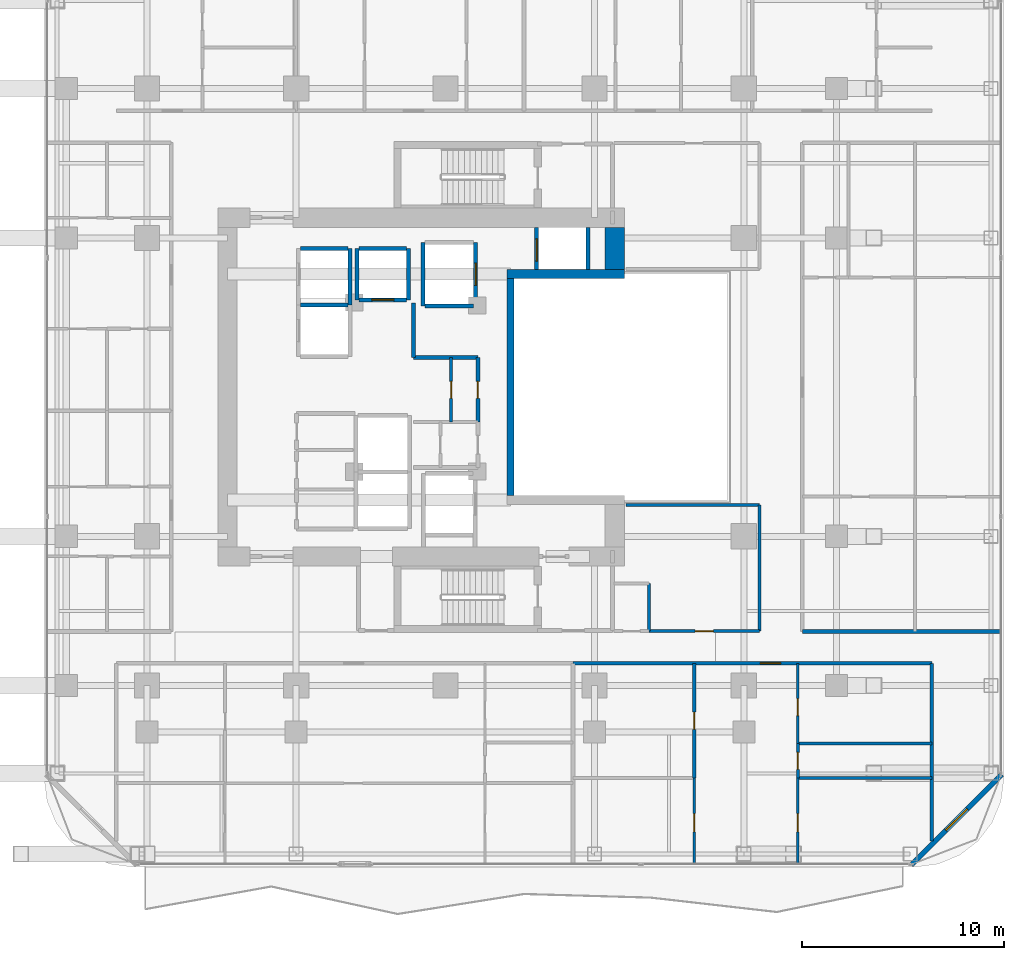
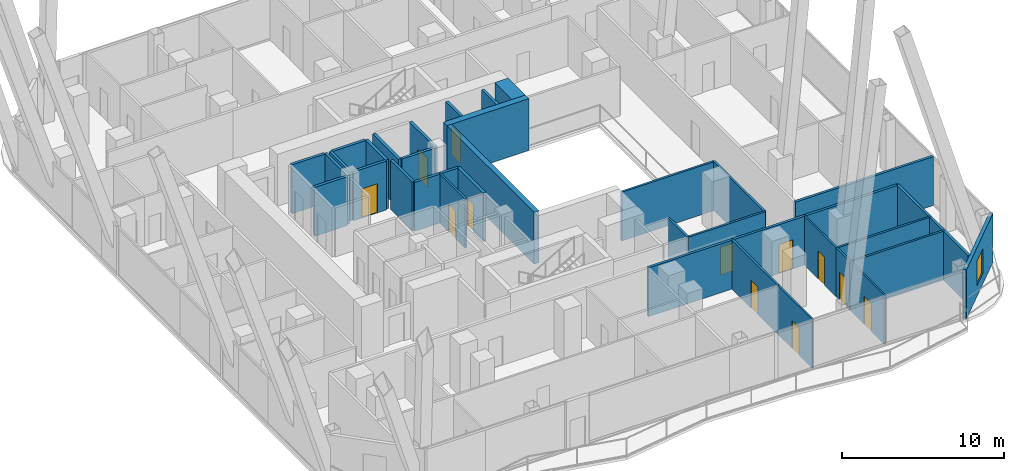
# One storey, part 26 of 32: 34 walls, 12 doors, 1 window, 13 openings.
"""IFC4 building model written with IfcOpenShell, lengths in metres."""

import ifcopenshell
import ifcopenshell.guid

model = None  # the IFC model being written
_history = None  # IfcOwnerHistory: only IFC2X3 demands one
_inside = {}  # id of a spatial element -> (the spatial element, [elements in it])
_under = {}  # id of a project, library or spatial element -> (it, [spatial elements below it])
_declared = {}  # id of a project -> (the project, [libraries it declares])
_typed = {}  # id of a type object -> (the type object, [elements of that type])
_made_of = {}  # id of a material, layer set ... -> (it, [elements and type objects made of it])


def new_model(schema):
    """Start an empty IFC model of exactly this schema.

    Asked for "IFC4X3", IfcOpenShell would pick the latest addendum, in which some entities
    have other attributes; the version numbers below select the first issue.
    IFC2X3 requires an IfcOwnerHistory on every rooted entity: one is made here for all.
    """
    global model, _history
    if schema == "IFC4X3":
        model = ifcopenshell.file(schema_version=(4, 3, 0, 0))
    else:
        model = ifcopenshell.file(schema=schema)
    _inside.clear()
    _under.clear()
    _declared.clear()
    _typed.clear()
    _made_of.clear()
    _history = None
    if model.schema == "IFC2X3":
        org = make("IfcOrganization", Name="unknown")
        user = make(
            "IfcPersonAndOrganization",
            ThePerson=make("IfcPerson", FamilyName="unknown"),
            TheOrganization=org,
        )
        app = make(
            "IfcApplication",
            ApplicationDeveloper=org,
            Version="unknown",
            ApplicationFullName="unknown",
            ApplicationIdentifier="unknown",
        )
        _history = make(
            "IfcOwnerHistory",
            OwningUser=user,
            OwningApplication=app,
            ChangeAction="ADDED",
            CreationDate=0,
        )
    return model


def make(cls, **values):
    """One entity of the class cls with the attributes given. An attribute that is None is left unset."""
    return model.create_entity(
        cls, **{name: value for name, value in values.items() if value is not None}
    )


def rooted(cls, **values):
    """An entity with a GlobalId (a new one), such as an element, a storey or a relation."""
    return make(cls, GlobalId=ifcopenshell.guid.new(), OwnerHistory=_history, **values)


def si_unit(unit_type, name, prefix=None):
    """IfcSIUnit, for example si_unit("LENGTHUNIT", "METRE", prefix="MILLI")."""
    return make("IfcSIUnit", UnitType=unit_type, Prefix=prefix, Name=name)


def assignment(units):
    """IfcUnitAssignment: the units of a project."""
    return None if units is None else make("IfcUnitAssignment", Units=units)


def point(xyz):
    """IfcCartesianPoint."""
    return None if xyz is None else make("IfcCartesianPoint", Coordinates=xyz)


def direction(xyz):
    """IfcDirection."""
    return None if xyz is None else make("IfcDirection", DirectionRatios=xyz)


def frame(location, z_axis=None, x_axis=None):
    """IfcAxis2Placement3D, a coordinate frame: its origin and axes. An axis left out is left unset."""
    return make(
        "IfcAxis2Placement3D",
        Location=point(location),
        Axis=direction(z_axis),
        RefDirection=direction(x_axis),
    )


def frame_2d(location, x_axis=None):
    """IfcAxis2Placement2D, a coordinate frame in the plane: its origin and x axis."""
    return make(
        "IfcAxis2Placement2D", Location=point(location), RefDirection=direction(x_axis)
    )


def origin():
    """The frame at (0, 0, 0) with its axes left unset."""
    return frame((0.0, 0.0, 0.0))


def place(relative_to, where):
    """IfcLocalPlacement: puts the frame where relative to a parent placement (None: the world)."""
    return make(
        "IfcLocalPlacement", PlacementRelTo=relative_to, RelativePlacement=where
    )


def context(
    kind, dimensions, precision=None, world=None, true_north=None, identifier=None
):
    """IfcGeometricRepresentationContext, for example the 3D "Model" context."""
    return make(
        "IfcGeometricRepresentationContext",
        ContextIdentifier=identifier,
        ContextType=kind,
        CoordinateSpaceDimension=dimensions,
        Precision=precision,
        WorldCoordinateSystem=world,
        TrueNorth=true_north,
    )


def subcontext(parent, identifier, kind, view, scale=None):
    """IfcGeometricRepresentationSubContext, for example "Body" below "Model"."""
    return make(
        "IfcGeometricRepresentationSubContext",
        ContextIdentifier=identifier,
        ContextType=kind,
        ParentContext=parent,
        TargetScale=scale,
        TargetView=view,
    )


def project(units=None, contexts=None):
    """IfcProject with its units and contexts."""
    return rooted(
        "IfcProject",
        Name="project",
        RepresentationContexts=contexts,
        UnitsInContext=assignment(units),
    )


def spatial(cls, under=None, at=None, **own):
    """A site, building, storey or space (cls), placed at a placement, below another one or the project."""
    s = rooted(cls, ObjectPlacement=at, **own)
    if under is not None:
        _under.setdefault(under.id(), (under, []))[1].append(s)
    return s


def profile(cls, at=None, kind="AREA", **sizes):
    """A parametric profile (cls). Its sizes go by their IFC names, for example OverallWidth=200.0."""
    return make(cls, ProfileType=kind, Position=at, **sizes)


def rectangle(**sizes):
    """IfcRectangleProfileDef."""
    return profile("IfcRectangleProfileDef", **sizes)


def extrude(swept, where, along, depth):
    """IfcExtrudedAreaSolid: the profile swept, set in the frame where, extruded along a direction by depth."""
    return make(
        "IfcExtrudedAreaSolid",
        SweptArea=swept,
        Position=where,
        ExtrudedDirection=direction(along),
        Depth=depth,
    )


def shape(context_of_items, identifier, shape_type, items):
    """IfcShapeRepresentation: the items that make up one representation, for example the "Body"."""
    return make(
        "IfcShapeRepresentation",
        ContextOfItems=context_of_items,
        RepresentationIdentifier=identifier,
        RepresentationType=shape_type,
        Items=items,
    )


def material(Name=None, Category=None):
    """IfcMaterial."""
    return make("IfcMaterial", Name=Name, Category=Category)


def layer(
    of_material, thickness, ventilated=None, Name=None, Category=None, Priority=None
):
    """IfcMaterialLayer: one layer of a wall or slab, of a material (None: an air gap)."""
    return make(
        "IfcMaterialLayer",
        Material=of_material,
        LayerThickness=thickness,
        IsVentilated=ventilated,
        Name=Name,
        Category=Category,
        Priority=Priority,
    )


def layer_set(layers, Name=None):
    """IfcMaterialLayerSet."""
    return make("IfcMaterialLayerSet", MaterialLayers=layers, LayerSetName=Name)


def made_of(thing, what):
    """Note that an element or type object is made of a material, layer set ...; save() writes the relation."""
    if what is not None:
        _made_of.setdefault(what.id(), (what, []))[1].append(thing)
    return thing


def type_object(cls, material=None, **own):
    """A type object (cls), such as IfcWallType, which elements share."""
    return made_of(rooted(cls, **own), material)


def element(
    cls,
    number,
    at=None,
    inside=None,
    cuts=None,
    type_object=None,
    material=None,
    context=None,
    identifier="Body",
    shape_type=None,
    held_by="IfcProductDefinitionShape",
    body=None,
    shapes=None,
    **own,
):
    """One element of the class cls, such as IfcWall. Its Tag is "e" and its number.

    at: its placement. inside: the storey or other place that contains it. cuts: it is an
    opening in that element (IfcRelVoidsElement). A single representation is given by context,
    identifier, shape_type and body (its items); several are given by shapes. held_by: the class
    of the entity that holds the representations. save() writes the other relations.
    """
    e = rooted(cls, Tag="e%d" % number, ObjectPlacement=at, **own)
    if body is not None:
        shapes = [shape(context, identifier, shape_type, body)]
    if shapes is not None:
        e.Representation = make(held_by, Representations=shapes)
    if inside is not None:
        _inside.setdefault(inside.id(), (inside, []))[1].append(e)
    if cuts is not None:
        rooted(
            "IfcRelVoidsElement", RelatingBuildingElement=cuts, RelatedOpeningElement=e
        )
    if type_object is not None:
        _typed.setdefault(type_object.id(), (type_object, []))[1].append(e)
    return made_of(e, material)


def fill(opening, filler):
    """IfcRelFillsElement: the door or window that sits in an opening."""
    return rooted(
        "IfcRelFillsElement",
        RelatingOpeningElement=opening,
        RelatedBuildingElement=filler,
    )


def aggregate(whole, parts):
    """IfcRelAggregates: a whole, such as a stair, and the parts it consists of."""
    return rooted("IfcRelAggregates", RelatingObject=whole, RelatedObjects=parts)


def save(model, path):
    """Write the relations noted so far, then the file.

    IfcRelAggregates (storeys below a building ...), IfcRelContainedInSpatialStructure (elements
    in a storey), IfcRelDefinesByType, IfcRelAssociatesMaterial and IfcRelDeclares: one each for
    every whole, place, type object, material and project.
    """
    for whole, parts in _under.values():
        aggregate(whole, parts)
    for where, things in _inside.values():
        rooted(
            "IfcRelContainedInSpatialStructure",
            RelatedElements=things,
            RelatingStructure=where,
        )
    for kind, things in _typed.values():
        rooted("IfcRelDefinesByType", RelatedObjects=things, RelatingType=kind)
    for what, things in _made_of.values():
        rooted("IfcRelAssociatesMaterial", RelatedObjects=things, RelatingMaterial=what)
    for by, libraries in _declared.values():
        rooted("IfcRelDeclares", RelatingContext=by, RelatedDefinitions=libraries)
    model.write(path)


model = new_model("IFC4")

# Units and contexts
model_context = context("Model", 3, precision=1e-05, world=origin(), true_north=direction((0.0, 1.0)))
body_context = subcontext(model_context, "Body", "Model", "MODEL_VIEW")
ifc_project = project(units=[si_unit("LENGTHUNIT", "METRE"), si_unit("AREAUNIT", "SQUARE_METRE"), si_unit("VOLUMEUNIT", "CUBIC_METRE"), si_unit("PLANEANGLEUNIT", "RADIAN"), si_unit("MASSUNIT", "GRAM", prefix="KILO")], contexts=[model_context])

# Site, building, storey
site_placement = place(None, origin())
site = spatial("IfcSite", under=ifc_project, at=site_placement, CompositionType="ELEMENT")
building_placement = place(site_placement, origin())
building = spatial("IfcBuilding", under=site, at=building_placement, Name="Khorvyn Point Tower", CompositionType="ELEMENT")
storey_placement = place(building_placement, frame((0.0, 0.0, 148.5)))
storey = spatial("IfcBuildingStorey", under=building, at=storey_placement, Name="L37", CompositionType="ELEMENT", Elevation=148.5)

# Wall, opening, door
ifc_material_1 = material(Name="Double acoustic gypsum on twin steel stud", Category="steel")
ifc_layer_1 = layer(ifc_material_1, 0.179931640625)
ifc_layer_set_1 = layer_set([ifc_layer_1], Name="Acoustic Double-Stud Apartment Demising Wall 180")
wall_type_1 = type_object("IfcWallType", Name="Acoustic Double-Stud Apartment Demising Wall 180", PredefinedType="PARTITIONING", material=ifc_layer_set_1)
wall_1_placement = place(storey_placement, frame((6.325927734375, -13.699951171875, 0.0), z_axis=(0.0, 0.0, 1.0), x_axis=(1.0, 0.0, 0.0)))
wall_1 = element("IfcWall", 1, at=wall_1_placement, inside=storey, type_object=wall_type_1, Name="Wall", PredefinedType="PARTITIONING", context=body_context, shape_type="SweptSolid", body=[
    extrude(rectangle(XDim=17.794189453125, YDim=0.179931640625, at=frame_2d((8.89697265625, 0.0))), origin(), (0.0, 0.0, 1.0), 3.679931640625),
])
opening_1_placement = place(wall_1_placement, frame((9.292236328125, 0.0, 0.0)))
opening_1 = element("IfcOpeningElement", 2, at=opening_1_placement, cuts=wall_1, Name="Opening ID-AP60", PredefinedType="OPENING", context=body_context, shape_type="SweptSolid", body=[
    extrude(rectangle(XDim=1.0, YDim=2.199951171875, at=frame_2d((0.5, 1.10009765625))), frame((0.0, 0.099853515625, 0.0), z_axis=(0.0, -1.0, 0.0), x_axis=(1.0, 0.0, 0.0)), (0.0, 0.0, 1.0), 0.199951171875),
])
ifc_material_2 = material(Name="Engineered hardwood fire-rated leaf", Category="wood")
door_type_1 = type_object("IfcDoorType", Name="Acoustic Solid-Core Timber Apartment Entrance Door 1000x2200", OperationType="NOTDEFINED", PredefinedType="DOOR", material=ifc_material_2)
door_1_placement = place(opening_1_placement, origin())
door_1 = element("IfcDoor", 3, at=door_1_placement, inside=storey, type_object=door_type_1, Name="Door", OperationType="SINGLE_SWING_RIGHT", OverallHeight=2.199951171875, OverallWidth=1.0, PredefinedType="DOOR", context=body_context, shape_type="SweptSolid", body=[
    extrude(rectangle(XDim=1.0, YDim=2.199951171875, at=frame_2d((0.5, 1.10009765625))), frame((0.0, 0.02490234375, 0.0), z_axis=(0.0, -1.0, 0.0), x_axis=(1.0, 0.0, 0.0)), (0.0, 0.0, 1.0), 0.050048828125),
])
fill(opening_1, door_1)

# Walls
wall_2_placement = place(storey_placement, frame((24.1201171875, -22.510009765625, 0.0), z_axis=(0.0, 0.0, 1.0), x_axis=(0.0, 1.0, 0.0)))
element("IfcWall", 4, at=wall_2_placement, inside=storey, type_object=wall_type_1, Name="Wall", PredefinedType="PARTITIONING", context=body_context, shape_type="SweptSolid", body=[
    extrude(rectangle(XDim=8.81005859375, YDim=0.179931640625, at=frame_2d((4.405029296875, 0.0))), origin(), (0.0, 0.0, 1.0), 3.679931640625),
])
wall_3_placement = place(storey_placement, frame((17.699951171875, -12.1201171875, 0.0), z_axis=(0.0, 0.0, 1.0), x_axis=(1.0, 0.0, 0.0)))
element("IfcWall", 5, at=wall_3_placement, inside=storey, type_object=wall_type_1, Name="Wall", PredefinedType="PARTITIONING", context=body_context, shape_type="SweptSolid", body=[
    extrude(rectangle(XDim=9.830078125, YDim=0.179931640625, at=frame_2d((4.9150390625, 0.0))), origin(), (0.0, 0.0, 1.0), 3.679931640625),
])

# Wall, opening, window
ifc_material_3 = material(Name="Pale anodised aluminium rainscreen on steel stud", Category="steel")
ifc_layer_2 = layer(ifc_material_3, 0.239990234375)
ifc_layer_set_2 = layer_set([ifc_layer_2], Name="Anodised Aluminium Insulated Corner Spandrel Wall 240")
wall_type_2 = type_object("IfcWallType", Name="Anodised Aluminium Insulated Corner Spandrel Wall 240", PredefinedType="SOLIDWALL", material=ifc_layer_set_2)
wall_4_placement = place(storey_placement, frame((27.59228515625, -19.20751953125, 0.0), z_axis=(0.0, 0.0, 1.0), x_axis=(-0.707087534163, -0.707126027686, 0.0)))
wall_4 = element("IfcWall", 6, at=wall_4_placement, inside=storey, type_object=wall_type_2, Name="L37 Rounded Corner Wall SE", PredefinedType="SOLIDWALL", context=body_context, shape_type="SweptSolid", body=[
    extrude(rectangle(XDim=6.34228515625, YDim=0.239990234375, at=frame_2d((3.171142578125, 0.0))), origin(), (0.0, 0.0, 1.0), 3.679931640625),
])
opening_2_placement = place(wall_4_placement, frame((2.42138671875, 0.0, 0.800048828125)))
opening_2 = element("IfcOpeningElement", 7, at=opening_2_placement, cuts=wall_4, Name="Opening WN-1518", PredefinedType="OPENING", context=body_context, shape_type="SweptSolid", body=[
    extrude(rectangle(XDim=1.5, YDim=1.85009765625, at=frame_2d((0.75, 0.925048828125))), frame((0.0, 0.1298828125, 0.0), z_axis=(0.0, -1.0, 0.0), x_axis=(1.0, 0.0, 0.0)), (0.0, 0.0, 1.0), 0.260009765625),
])
ifc_material_4 = material(Name="Anodised aluminium 6063-T6 and laminated Low-E glass", Category="aluminium")
window_type = type_object("IfcWindowType", Name="Anodised Aluminium Rounded-Corner Panoramic Window 1500x1850", PartitioningType="SINGLE_PANEL", PredefinedType="WINDOW", material=ifc_material_4)
window_placement = place(opening_2_placement, origin())
window = element("IfcWindow", 8, at=window_placement, inside=storey, type_object=window_type, Name="L37 Corner Panoramic Window SE", OverallHeight=1.85009765625, OverallWidth=1.5, PartitioningType="SINGLE_PANEL", PredefinedType="WINDOW", context=body_context, shape_type="SweptSolid", body=[
    extrude(rectangle(XDim=1.5, YDim=1.85009765625, at=frame_2d((0.75, 0.925048828125))), frame((0.0, 0.030029296875, 0.0), z_axis=(0.0, -1.0, 0.0), x_axis=(1.0, 0.0, 0.0)), (0.0, 0.0, 1.0), 0.06005859375),
])
fill(opening_2, window)

# Wall
ifc_material_5 = material(Name="Concrete C40/50", Category="concrete")
ifc_layer_3 = layer(ifc_material_5, 0.449951171875)
ifc_layer_set_3 = layer_set([ifc_layer_3], Name="Concrete C40/50 Core Shear Wall 450")
wall_type_3 = type_object("IfcWallType", Name="Concrete C40/50 Core Shear Wall 450", PredefinedType="SHEAR", material=ifc_layer_set_3)
wall_5_placement = place(storey_placement, frame((3.044921875, 5.60009765625, 0.0), z_axis=(0.0, 0.0, 1.0), x_axis=(1.0, 0.0, 0.0)))
element("IfcWall", 9, at=wall_5_placement, inside=storey, type_object=wall_type_3, Name="Wall", PredefinedType="SHEAR", context=body_context, shape_type="SweptSolid", body=[
    extrude(rectangle(XDim=5.830078125, YDim=0.449951171875, at=frame_2d((2.9150390625, 0.0))), origin(), (0.0, 0.0, 1.0), 3.89990234375),
])

# Wall, opening, door
ifc_layer_4 = layer(ifc_material_5, 0.199951171875)
ifc_layer_set_4 = layer_set([ifc_layer_4], Name="Concrete C40/50 Fire-Lobby Compartment Wall 200")
wall_type_4 = type_object("IfcWallType", Name="Concrete C40/50 Fire-Lobby Compartment Wall 200", PredefinedType="SOLIDWALL", material=ifc_layer_set_4)
wall_6_placement = place(storey_placement, frame((1.610107421875, -1.739013671875, 0.0), z_axis=(0.0, 0.0, 1.0), x_axis=(0.0, 1.0, 0.0)))
wall_6 = element("IfcWall", 10, at=wall_6_placement, inside=storey, type_object=wall_type_4, Name="Wall", PredefinedType="SOLIDWALL", context=body_context, shape_type="SweptSolid", body=[
    extrude(rectangle(XDim=3.198974609375, YDim=0.199951171875, at=frame_2d((1.599609375, 0.0))), origin(), (0.0, 0.0, 1.0), 3.679931640625),
])
opening_3_placement = place(wall_6_placement, frame((1.174560546875, 0.0, 0.0)))
opening_3 = element("IfcOpeningElement", 11, at=opening_3_placement, cuts=wall_6, Name="Opening ID-WC85", PredefinedType="OPENING", context=body_context, shape_type="SweptSolid", body=[
    extrude(rectangle(XDim=0.85009765625, YDim=2.10009765625, at=frame_2d((0.425048828125, 1.050048828125))), frame((0.0, 0.10986328125, 0.0), z_axis=(0.0, -1.0, 0.0), x_axis=(1.0, 0.0, 0.0)), (0.0, 0.0, 1.0), 0.219970703125),
])
ifc_material_6 = material(Name="High-pressure laminate on moisture-resistant core", Category="wood")
door_type_2 = type_object("IfcDoorType", Name="Moisture-Resistant Accessible Washroom Door 850x2100", OperationType="NOTDEFINED", PredefinedType="DOOR", material=ifc_material_6)
door_2_placement = place(opening_3_placement, origin())
door_2 = element("IfcDoor", 12, at=door_2_placement, inside=storey, type_object=door_type_2, Name="Door", OperationType="SINGLE_SWING_RIGHT", OverallHeight=2.10009765625, OverallWidth=0.85009765625, PredefinedType="DOOR", context=body_context, shape_type="SweptSolid", body=[
    extrude(rectangle(XDim=0.85009765625, YDim=2.10009765625, at=frame_2d((0.425048828125, 1.050048828125))), frame((0.0, 0.02490234375, 0.0), z_axis=(0.0, -1.0, 0.0), x_axis=(1.0, 0.0, 0.0)), (0.0, 0.0, 1.0), 0.050048828125),
])
fill(opening_3, door_2)

# Walls
wall_7_placement = place(storey_placement, frame((-1.580078125, 1.47998046875, 0.0), z_axis=(0.0, 0.0, 1.0), x_axis=(0.0, 1.0, 0.0)))
element("IfcWall", 13, at=wall_7_placement, inside=storey, type_object=wall_type_4, Name="Wall", PredefinedType="SOLIDWALL", context=body_context, shape_type="SweptSolid", body=[
    extrude(rectangle(XDim=2.699951171875, YDim=0.199951171875, at=frame_2d((1.35009765625, 0.0))), origin(), (0.0, 0.0, 1.0), 3.679931640625),
])
wall_8_placement = place(storey_placement, frame((-1.580078125, 1.4599609375, 0.0), z_axis=(0.0, 0.0, 1.0), x_axis=(1.0, 0.0, 0.0)))
element("IfcWall", 14, at=wall_8_placement, inside=storey, type_object=wall_type_4, Name="Wall", PredefinedType="SOLIDWALL", context=body_context, shape_type="SweptSolid", body=[
    extrude(rectangle(XDim=3.190185546875, YDim=0.199951171875, at=frame_2d((1.59521484375, 0.0))), origin(), (0.0, 0.0, 1.0), 3.679931640625),
])
ifc_layer_5 = layer(ifc_material_5, 0.35009765625)
ifc_layer_set_5 = layer_set([ifc_layer_5], Name="Concrete C40/50 Stair Shaft Structural Wall 350")
wall_type_5 = type_object("IfcWallType", Name="Concrete C40/50 Stair Shaft Structural Wall 350", PredefinedType="SHEAR", material=ifc_layer_set_5)
wall_9_placement = place(storey_placement, frame((3.219970703125, -5.375, 0.0), z_axis=(0.0, 0.0, 1.0), x_axis=(0.0, 1.0, 0.0)))
element("IfcWall", 15, at=wall_9_placement, inside=storey, type_object=wall_type_5, Name="Wall", PredefinedType="SHEAR", context=body_context, shape_type="SweptSolid", body=[
    extrude(rectangle(XDim=10.75, YDim=0.35009765625, at=frame_2d((5.375, 0.0))), origin(), (0.0, 0.0, 1.0), 3.89990234375),
])
ifc_layer_6 = layer(ifc_material_5, 0.199951171875)
ifc_layer_set_6 = layer_set([ifc_layer_6], Name="Concrete C40/50 Structural Hoistway and Stair Shaft Wall 200")
wall_type_6 = type_object("IfcWallType", Name="Concrete C40/50 Structural Hoistway and Stair Shaft Wall 200", PredefinedType="SHEAR", material=ifc_layer_set_6)
wall_10_placement = place(storey_placement, frame((-7.175048828125, 4.074951171875, 0.0), z_axis=(0.0, 0.0, 1.0), x_axis=(1.0, 0.0, 0.0)))
element("IfcWall", 16, at=wall_10_placement, inside=storey, type_object=wall_type_6, Name="Wall", PredefinedType="SHEAR", context=body_context, shape_type="SweptSolid", body=[
    extrude(rectangle(XDim=2.35009765625, YDim=0.199951171875, at=frame_2d((1.175048828125, 0.0))), origin(), (0.0, 0.0, 1.0), 3.679931640625),
])
wall_11_placement = place(storey_placement, frame((-4.72509765625, 4.074951171875, 0.0), z_axis=(0.0, 0.0, 1.0), x_axis=(0.0, 1.0, 0.0)))
element("IfcWall", 17, at=wall_11_placement, inside=storey, type_object=wall_type_6, Name="Wall", PredefinedType="SHEAR", context=body_context, shape_type="SweptSolid", body=[
    extrude(rectangle(XDim=2.800048828125, YDim=0.199951171875, at=frame_2d((1.39990234375, 0.0))), origin(), (0.0, 0.0, 1.0), 3.679931640625),
])
wall_12_placement = place(storey_placement, frame((-7.175048828125, 6.875, 0.0), z_axis=(0.0, 0.0, 1.0), x_axis=(1.0, 0.0, 0.0)))
element("IfcWall", 18, at=wall_12_placement, inside=storey, type_object=wall_type_6, Name="Wall", PredefinedType="SHEAR", context=body_context, shape_type="SweptSolid", body=[
    extrude(rectangle(XDim=2.35009765625, YDim=0.199951171875, at=frame_2d((1.175048828125, 0.0))), origin(), (0.0, 0.0, 1.0), 3.679931640625),
])
for number, where, z_axis, x_axis, name in (
    (19, (-4.375, 4.324951171875, 0.0), (0.0, 0.0, 1.0), (0.0, 1.0, 0.0), "Wall"),
    (20, (-1.824951171875, 4.324951171875, 0.0), (0.0, 0.0, 1.0), (0.0, 1.0, 0.0), "Wall"),
):
    element("IfcWall", number, at=place(storey_placement, frame(where, z_axis=z_axis, x_axis=x_axis)), inside=storey, type_object=wall_type_6, Name=name, PredefinedType="SHEAR", context=body_context, shape_type="SweptSolid", body=[
        extrude(rectangle(XDim=2.550048828125, YDim=0.199951171875, at=frame_2d((1.27490234375, 0.0))), origin(), (0.0, 0.0, 1.0), 3.679931640625),
    ])

# Wall, opening, door
wall_13_placement = place(storey_placement, frame((-4.27490234375, 4.324951171875, 0.0), z_axis=(0.0, 0.0, 1.0), x_axis=(1.0, 0.0, 0.0)))
wall_13 = element("IfcWall", 21, at=wall_13_placement, inside=storey, type_object=wall_type_6, Name="Wall", PredefinedType="SHEAR", context=body_context, shape_type="SweptSolid", body=[
    extrude(rectangle(XDim=2.349853515625, YDim=0.199951171875, at=frame_2d((1.1748046875, 0.0))), origin(), (0.0, 0.0, 1.0), 3.679931640625),
])
opening_4_placement = place(wall_13_placement, frame((0.625, 0.0, 0.0)))
opening_4 = element("IfcOpeningElement", 22, at=opening_4_placement, cuts=wall_13, Name="Opening LD-1122", PredefinedType="OPENING", context=body_context, shape_type="SweptSolid", body=[
    extrude(rectangle(XDim=1.10009765625, YDim=2.199951171875, at=frame_2d((0.550048828125, 1.10009765625))), frame((0.0, 0.10986328125, 0.0), z_axis=(0.0, -1.0, 0.0), x_axis=(1.0, 0.0, 0.0)), (0.0, 0.0, 1.0), 0.219970703125),
])
ifc_material_7 = material(Name="Stainless steel 1.4301", Category="steel")
door_type_3 = type_object("IfcDoorType", Name="Stainless Steel Automatic Sliding Lift Landing Door 1100x2200", OperationType="SLIDING_TO_LEFT", PredefinedType="DOOR", material=ifc_material_7)
door_3_placement = place(opening_4_placement, origin())
door_3 = element("IfcDoor", 23, at=door_3_placement, inside=storey, type_object=door_type_3, Name="L37 RM-03 Sliding Lift Landing Door", OperationType="SLIDING_TO_LEFT", OverallHeight=2.199951171875, OverallWidth=1.10009765625, PredefinedType="DOOR", context=body_context, shape_type="SweptSolid", body=[
    extrude(rectangle(XDim=1.10009765625, YDim=2.199951171875, at=frame_2d((0.550048828125, 1.10009765625))), frame((0.0, 0.02490234375, 0.0), z_axis=(0.0, -1.0, 0.0), x_axis=(1.0, 0.0, 0.0)), (0.0, 0.0, 1.0), 0.050048828125),
])
fill(opening_4, door_3)

# Walls
wall_14_placement = place(storey_placement, frame((-4.27490234375, 6.875, 0.0), z_axis=(0.0, 0.0, 1.0), x_axis=(1.0, 0.0, 0.0)))
element("IfcWall", 24, at=wall_14_placement, inside=storey, type_object=wall_type_6, Name="Wall", PredefinedType="SHEAR", context=body_context, shape_type="SweptSolid", body=[
    extrude(rectangle(XDim=2.349853515625, YDim=0.199951171875, at=frame_2d((1.1748046875, 0.0))), origin(), (0.0, 0.0, 1.0), 3.679931640625),
])
wall_15_placement = place(storey_placement, frame((-1.10009765625, 4.02490234375, 0.0), z_axis=(0.0, 0.0, 1.0), x_axis=(0.0, 1.0, 0.0)))
element("IfcWall", 25, at=wall_15_placement, inside=storey, type_object=wall_type_6, Name="Wall", PredefinedType="SHEAR", context=body_context, shape_type="SweptSolid", body=[
    extrude(rectangle(XDim=3.150146484375, YDim=0.199951171875, at=frame_2d((1.5751953125, 0.0))), origin(), (0.0, 0.0, 1.0), 3.679931640625),
])

# Wall, opening, door
wall_16_placement = place(storey_placement, frame((1.5, 4.02490234375, 0.0), z_axis=(0.0, 0.0, 1.0), x_axis=(0.0, 1.0, 0.0)))
wall_16 = element("IfcWall", 26, at=wall_16_placement, inside=storey, type_object=wall_type_6, Name="Wall", PredefinedType="SHEAR", context=body_context, shape_type="SweptSolid", body=[
    extrude(rectangle(XDim=3.150146484375, YDim=0.199951171875, at=frame_2d((1.5751953125, 0.0))), origin(), (0.0, 0.0, 1.0), 3.679931640625),
])
opening_5_placement = place(wall_16_placement, frame((1.02490234375, 0.0, 0.0)))
opening_5 = element("IfcOpeningElement", 27, at=opening_5_placement, cuts=wall_16, Name="Opening LD-1122", PredefinedType="OPENING", context=body_context, shape_type="SweptSolid", body=[
    extrude(rectangle(XDim=1.10009765625, YDim=2.199951171875, at=frame_2d((0.550048828125, 1.10009765625))), frame((0.0, 0.10986328125, 0.0), z_axis=(0.0, -1.0, 0.0), x_axis=(1.0, 0.0, 0.0)), (0.0, 0.0, 1.0), 0.219970703125),
])
door_4_placement = place(opening_5_placement, origin())
door_4 = element("IfcDoor", 28, at=door_4_placement, inside=storey, type_object=door_type_3, Name="L37 SV-01 Sliding Lift Landing Door", OperationType="SLIDING_TO_LEFT", OverallHeight=2.199951171875, OverallWidth=1.10009765625, PredefinedType="DOOR", context=body_context, shape_type="SweptSolid", body=[
    extrude(rectangle(XDim=1.10009765625, YDim=2.199951171875, at=frame_2d((0.550048828125, 1.10009765625))), frame((0.0, 0.02490234375, 0.0), z_axis=(0.0, -1.0, 0.0), x_axis=(1.0, 0.0, 0.0)), (0.0, 0.0, 1.0), 0.050048828125),
])
fill(opening_5, door_4)

# Wall
wall_17_placement = place(storey_placement, frame((-1.0, 4.02490234375, 0.0), z_axis=(0.0, 0.0, 1.0), x_axis=(1.0, 0.0, 0.0)))
element("IfcWall", 29, at=wall_17_placement, inside=storey, type_object=wall_type_6, Name="Wall", PredefinedType="SHEAR", context=body_context, shape_type="SweptSolid", body=[
    extrude(rectangle(XDim=2.39990234375, YDim=0.199951171875, at=frame_2d((1.199951171875, 0.0))), origin(), (0.0, 0.0, 1.0), 3.679931640625),
])

# Wall, opening, door
wall_18_placement = place(storey_placement, frame((4.52490234375, 5.824951171875, 0.0), z_axis=(0.0, 0.0, 1.0), x_axis=(0.0, 1.0, 0.0)))
wall_18 = element("IfcWall", 30, at=wall_18_placement, inside=storey, type_object=wall_type_6, Name="Wall", PredefinedType="SHEAR", context=body_context, shape_type="SweptSolid", body=[
    extrude(rectangle(XDim=2.10009765625, YDim=0.199951171875, at=frame_2d((1.050048828125, 0.0))), origin(), (0.0, 0.0, 1.0), 3.679931640625),
])
opening_6_placement = place(wall_18_placement, frame((0.425048828125, 0.0, 0.0)))
opening_6 = element("IfcOpeningElement", 31, at=opening_6_placement, cuts=wall_18, Name="Opening LD-1122", PredefinedType="OPENING", context=body_context, shape_type="SweptSolid", body=[
    extrude(rectangle(XDim=1.10009765625, YDim=2.199951171875, at=frame_2d((0.550048828125, 1.10009765625))), frame((0.0, 0.10986328125, 0.0), z_axis=(0.0, -1.0, 0.0), x_axis=(1.0, 0.0, 0.0)), (0.0, 0.0, 1.0), 0.219970703125),
])
door_5_placement = place(opening_6_placement, origin())
door_5 = element("IfcDoor", 32, at=door_5_placement, inside=storey, type_object=door_type_3, Name="L37 FF-02 Sliding Lift Landing Door", OperationType="SLIDING_TO_LEFT", OverallHeight=2.199951171875, OverallWidth=1.10009765625, PredefinedType="DOOR", context=body_context, shape_type="SweptSolid", body=[
    extrude(rectangle(XDim=1.10009765625, YDim=2.199951171875, at=frame_2d((0.550048828125, 1.10009765625))), frame((0.0, 0.02490234375, 0.0), z_axis=(0.0, -1.0, 0.0), x_axis=(1.0, 0.0, 0.0)), (0.0, 0.0, 1.0), 0.050048828125),
])
fill(opening_6, door_5)

# Walls
wall_19_placement = place(storey_placement, frame((7.074951171875, 5.824951171875, 0.0), z_axis=(0.0, 0.0, 1.0), x_axis=(0.0, 1.0, 0.0)))
element("IfcWall", 33, at=wall_19_placement, inside=storey, type_object=wall_type_6, Name="Wall", PredefinedType="SHEAR", context=body_context, shape_type="SweptSolid", body=[
    extrude(rectangle(XDim=2.10009765625, YDim=0.199951171875, at=frame_2d((1.050048828125, 0.0))), origin(), (0.0, 0.0, 1.0), 3.679931640625),
])
ifc_material_8 = material(Name="Concrete C50/60", Category="concrete")
ifc_layer_7 = layer(ifc_material_8, 0.949951171875)
ifc_layer_set_7 = layer_set([ifc_layer_7], Name="Concrete C50/60 Core Shear Wall 950")
wall_type_7 = type_object("IfcWallType", Name="Concrete C50/60 Core Shear Wall 950", PredefinedType="SHEAR", material=ifc_layer_set_7)
wall_20_placement = place(storey_placement, frame((8.39990234375, 5.824951171875, 0.0), z_axis=(0.0, 0.0, 1.0), x_axis=(0.0, 1.0, 0.0)))
element("IfcWall", 34, at=wall_20_placement, inside=storey, type_object=wall_type_7, Name="Wall", PredefinedType="SHEAR", context=body_context, shape_type="SweptSolid", body=[
    extrude(rectangle(XDim=2.10009765625, YDim=0.949951171875, at=frame_2d((1.050048828125, 0.0))), origin(), (0.0, 0.0, 1.0), 3.89990234375),
])

# Wall, opening, door
ifc_material_9 = material(Name="Gypsum plasterboard on steel stud", Category="steel")
ifc_layer_8 = layer(ifc_material_9, 0.1201171875)
ifc_layer_set_8 = layer_set([ifc_layer_8], Name="Gypsum Acoustic Stud Room Partition Wall 120")
wall_type_8 = type_object("IfcWallType", Name="Gypsum Acoustic Stud Room Partition Wall 120", PredefinedType="PARTITIONING", material=ifc_layer_set_8)
wall_21_placement = place(storey_placement, frame((12.340087890625, -23.6298828125, 0.0), z_axis=(0.0, 0.0, 1.0), x_axis=(0.0, 1.0, 0.0)))
wall_21 = element("IfcWall", 35, at=wall_21_placement, inside=storey, type_object=wall_type_8, Name="Wall", PredefinedType="PARTITIONING", context=body_context, shape_type="SweptSolid", body=[
    extrude(rectangle(XDim=4.239990234375, YDim=0.1201171875, at=frame_2d((2.1201171875, 0.0))), origin(), (0.0, 0.0, 1.0), 3.679931640625),
])
opening_7_placement = place(wall_21_placement, frame((1.581298828125, 0.0, 0.0)))
opening_7 = element("IfcOpeningElement", 36, at=opening_7_placement, cuts=wall_21, Name="Opening ID-RM90", PredefinedType="OPENING", context=body_context, shape_type="SweptSolid", body=[
    extrude(rectangle(XDim=0.89990234375, YDim=2.10009765625, at=frame_2d((0.449951171875, 1.050048828125))), frame((0.0, 0.070068359375, 0.0), z_axis=(0.0, -1.0, 0.0), x_axis=(1.0, 0.0, 0.0)), (0.0, 0.0, 1.0), 0.14013671875),
])
ifc_material_10 = material(Name="Engineered oak veneer timber", Category="wood")
door_type_4 = type_object("IfcDoorType", Name="Flush Engineered Timber Room Door 900x2100", OperationType="NOTDEFINED", PredefinedType="DOOR", material=ifc_material_10)
door_6_placement = place(opening_7_placement, origin())
door_6 = element("IfcDoor", 37, at=door_6_placement, inside=storey, type_object=door_type_4, Name="Door", OperationType="SINGLE_SWING_RIGHT", OverallHeight=2.10009765625, OverallWidth=0.89990234375, PredefinedType="DOOR", context=body_context, shape_type="SweptSolid", body=[
    extrude(rectangle(XDim=0.89990234375, YDim=2.10009765625, at=frame_2d((0.449951171875, 1.050048828125))), frame((0.0, 0.02490234375, 0.0), z_axis=(0.0, -1.0, 0.0), x_axis=(1.0, 0.0, 0.0)), (0.0, 0.0, 1.0), 0.050048828125),
])
fill(opening_7, door_6)

wall_22_placement = place(storey_placement, frame((17.47607421875, -17.68310546875, 0.0), z_axis=(0.0, 0.0, 1.0), x_axis=(0.0, 1.0, 0.0)))
wall_22 = element("IfcWall", 38, at=wall_22_placement, inside=storey, type_object=wall_type_8, Name="Wall", PredefinedType="PARTITIONING", context=body_context, shape_type="SweptSolid", body=[
    extrude(rectangle(XDim=3.983154296875, YDim=0.1201171875, at=frame_2d((1.99169921875, 0.0))), origin(), (0.0, 0.0, 1.0), 3.679931640625),
])
opening_8_placement = place(wall_22_placement, frame((1.390625, 0.0, 0.0)))
opening_8 = element("IfcOpeningElement", 39, at=opening_8_placement, cuts=wall_22, Name="Opening ID-WC85", PredefinedType="OPENING", context=body_context, shape_type="SweptSolid", body=[
    extrude(rectangle(XDim=0.85009765625, YDim=2.10009765625, at=frame_2d((0.425048828125, 1.050048828125))), frame((0.0, 0.070068359375, 0.0), z_axis=(0.0, -1.0, 0.0), x_axis=(1.0, 0.0, 0.0)), (0.0, 0.0, 1.0), 0.14013671875),
])
door_7_placement = place(opening_8_placement, origin())
door_7 = element("IfcDoor", 40, at=door_7_placement, inside=storey, type_object=door_type_2, Name="Door", OperationType="SINGLE_SWING_RIGHT", OverallHeight=2.10009765625, OverallWidth=0.85009765625, PredefinedType="DOOR", context=body_context, shape_type="SweptSolid", body=[
    extrude(rectangle(XDim=0.85009765625, YDim=2.10009765625, at=frame_2d((0.425048828125, 1.050048828125))), frame((0.0, 0.02490234375, 0.0), z_axis=(0.0, -1.0, 0.0), x_axis=(1.0, 0.0, 0.0)), (0.0, 0.0, 1.0), 0.050048828125),
])
fill(opening_8, door_7)

wall_23_placement = place(storey_placement, frame((17.47607421875, -23.6298828125, 0.0), z_axis=(0.0, 0.0, 1.0), x_axis=(0.0, 1.0, 0.0)))
wall_23 = element("IfcWall", 41, at=wall_23_placement, inside=storey, type_object=wall_type_8, Name="Wall", PredefinedType="PARTITIONING", context=body_context, shape_type="SweptSolid", body=[
    extrude(rectangle(XDim=4.239990234375, YDim=0.1201171875, at=frame_2d((2.1201171875, 0.0))), origin(), (0.0, 0.0, 1.0), 3.679931640625),
])
opening_9_placement = place(wall_23_placement, frame((1.581298828125, 0.0, 0.0)))
opening_9 = element("IfcOpeningElement", 42, at=opening_9_placement, cuts=wall_23, Name="Opening ID-RM90", PredefinedType="OPENING", context=body_context, shape_type="SweptSolid", body=[
    extrude(rectangle(XDim=0.89990234375, YDim=2.10009765625, at=frame_2d((0.449951171875, 1.050048828125))), frame((0.0, 0.070068359375, 0.0), z_axis=(0.0, -1.0, 0.0), x_axis=(1.0, 0.0, 0.0)), (0.0, 0.0, 1.0), 0.14013671875),
])
door_8_placement = place(opening_9_placement, origin())
door_8 = element("IfcDoor", 43, at=door_8_placement, inside=storey, type_object=door_type_4, Name="Door", OperationType="SINGLE_SWING_LEFT", OverallHeight=2.10009765625, OverallWidth=0.89990234375, PredefinedType="DOOR", context=body_context, shape_type="SweptSolid", body=[
    extrude(rectangle(XDim=0.89990234375, YDim=2.10009765625, at=frame_2d((0.449951171875, 1.050048828125))), frame((0.0, 0.02490234375, 0.0), z_axis=(0.0, -1.0, 0.0), x_axis=(1.0, 0.0, 0.0)), (0.0, 0.0, 1.0), 0.050048828125),
])
fill(opening_9, door_8)

ifc_material_11 = material(Name="Moisture-resistant gypsum and cement board", Category="gypsum")
ifc_layer_9 = layer(ifc_material_11, 0.14990234375)
ifc_layer_set_9 = layer_set([ifc_layer_9], Name="Moisture-Resistant Wet-Room Partition Wall 150")
wall_type_9 = type_object("IfcWallType", Name="Moisture-Resistant Wet-Room Partition Wall 150", PredefinedType="PARTITIONING", material=ifc_layer_set_9)
wall_24_placement = place(storey_placement, frame((0.2900390625, -1.739013671875, 0.0), z_axis=(0.0, 0.0, 1.0), x_axis=(0.0, 1.0, 0.0)))
wall_24 = element("IfcWall", 44, at=wall_24_placement, inside=storey, type_object=wall_type_9, Name="Wall", PredefinedType="PARTITIONING", context=body_context, shape_type="SweptSolid", body=[
    extrude(rectangle(XDim=3.198974609375, YDim=0.14990234375, at=frame_2d((1.599609375, 0.0))), origin(), (0.0, 0.0, 1.0), 3.679931640625),
])
opening_10_placement = place(wall_24_placement, frame((1.174560546875, 0.0, 0.0)))
opening_10 = element("IfcOpeningElement", 45, at=opening_10_placement, cuts=wall_24, Name="Opening ID-WC85", PredefinedType="OPENING", context=body_context, shape_type="SweptSolid", body=[
    extrude(rectangle(XDim=0.85009765625, YDim=2.10009765625, at=frame_2d((0.425048828125, 1.050048828125))), frame((0.0, 0.0849609375, 0.0), z_axis=(0.0, -1.0, 0.0), x_axis=(1.0, 0.0, 0.0)), (0.0, 0.0, 1.0), 0.169921875),
])
door_9_placement = place(opening_10_placement, origin())
door_9 = element("IfcDoor", 46, at=door_9_placement, inside=storey, type_object=door_type_2, Name="Door", OperationType="SINGLE_SWING_RIGHT", OverallHeight=2.10009765625, OverallWidth=0.85009765625, PredefinedType="DOOR", context=body_context, shape_type="SweptSolid", body=[
    extrude(rectangle(XDim=0.85009765625, YDim=2.10009765625, at=frame_2d((0.425048828125, 1.050048828125))), frame((0.0, 0.02490234375, 0.0), z_axis=(0.0, -1.0, 0.0), x_axis=(1.0, 0.0, 0.0)), (0.0, 0.0, 1.0), 0.050048828125),
])
fill(opening_10, door_9)

wall_25_placement = place(storey_placement, frame((10.10009765625, -12.10009765625, 0.0), z_axis=(0.0, 0.0, 1.0), x_axis=(1.0, 0.0, 0.0)))
wall_25 = element("IfcWall", 47, at=wall_25_placement, inside=storey, type_object=wall_type_9, Name="Wall", PredefinedType="PARTITIONING", context=body_context, shape_type="SweptSolid", body=[
    extrude(rectangle(XDim=5.47998046875, YDim=0.14990234375, at=frame_2d((2.739990234375, 0.0))), origin(), (0.0, 0.0, 1.0), 3.679931640625),
])
opening_11_placement = place(wall_25_placement, frame((2.2900390625, 0.0, 0.0)))
opening_11 = element("IfcOpeningElement", 48, at=opening_11_placement, cuts=wall_25, Name="Opening ID-RM90", PredefinedType="OPENING", context=body_context, shape_type="SweptSolid", body=[
    extrude(rectangle(XDim=0.89990234375, YDim=2.10009765625, at=frame_2d((0.449951171875, 1.050048828125))), frame((0.0, 0.0849609375, 0.0), z_axis=(0.0, -1.0, 0.0), x_axis=(1.0, 0.0, 0.0)), (0.0, 0.0, 1.0), 0.169921875),
])
door_10_placement = place(opening_11_placement, origin())
door_10 = element("IfcDoor", 49, at=door_10_placement, inside=storey, type_object=door_type_4, Name="Door", OperationType="SINGLE_SWING_LEFT", OverallHeight=2.10009765625, OverallWidth=0.89990234375, PredefinedType="DOOR", context=body_context, shape_type="SweptSolid", body=[
    extrude(rectangle(XDim=0.89990234375, YDim=2.10009765625, at=frame_2d((0.449951171875, 1.050048828125))), frame((0.0, 0.02490234375, 0.0), z_axis=(0.0, -1.0, 0.0), x_axis=(1.0, 0.0, 0.0)), (0.0, 0.0, 1.0), 0.050048828125),
])
fill(opening_11, door_10)

wall_26_placement = place(storey_placement, frame((12.340087890625, -19.389892578125, 0.0), z_axis=(0.0, 0.0, 1.0), x_axis=(0.0, 1.0, 0.0)))
wall_26 = element("IfcWall", 50, at=wall_26_placement, inside=storey, type_object=wall_type_9, Name="Wall", PredefinedType="PARTITIONING", context=body_context, shape_type="SweptSolid", body=[
    extrude(rectangle(XDim=5.68994140625, YDim=0.14990234375, at=frame_2d((2.844970703125, 0.0))), origin(), (0.0, 0.0, 1.0), 3.679931640625),
])
opening_12_placement = place(wall_26_placement, frame((2.419921875, 0.0, 0.0)))
opening_12 = element("IfcOpeningElement", 51, at=opening_12_placement, cuts=wall_26, Name="Opening ID-WC85", PredefinedType="OPENING", context=body_context, shape_type="SweptSolid", body=[
    extrude(rectangle(XDim=0.85009765625, YDim=2.10009765625, at=frame_2d((0.425048828125, 1.050048828125))), frame((0.0, 0.0849609375, 0.0), z_axis=(0.0, -1.0, 0.0), x_axis=(1.0, 0.0, 0.0)), (0.0, 0.0, 1.0), 0.169921875),
])
door_11_placement = place(opening_12_placement, origin())
door_11 = element("IfcDoor", 52, at=door_11_placement, inside=storey, type_object=door_type_2, Name="Door", OperationType="SINGLE_SWING_LEFT", OverallHeight=2.10009765625, OverallWidth=0.85009765625, PredefinedType="DOOR", context=body_context, shape_type="SweptSolid", body=[
    extrude(rectangle(XDim=0.85009765625, YDim=2.10009765625, at=frame_2d((0.425048828125, 1.050048828125))), frame((0.0, 0.02490234375, 0.0), z_axis=(0.0, -1.0, 0.0), x_axis=(1.0, 0.0, 0.0)), (0.0, 0.0, 1.0), 0.050048828125),
])
fill(opening_12, door_11)

wall_27_placement = place(storey_placement, frame((17.47607421875, -19.389892578125, 0.0), z_axis=(0.0, 0.0, 1.0), x_axis=(0.0, 1.0, 0.0)))
wall_27 = element("IfcWall", 53, at=wall_27_placement, inside=storey, type_object=wall_type_9, Name="Wall", PredefinedType="PARTITIONING", context=body_context, shape_type="SweptSolid", body=[
    extrude(rectangle(XDim=1.706787109375, YDim=0.14990234375, at=frame_2d((0.853515625, 0.0))), origin(), (0.0, 0.0, 1.0), 3.679931640625),
])
opening_13_placement = place(wall_27_placement, frame((0.428466796875, 0.0, 0.0)))
opening_13 = element("IfcOpeningElement", 54, at=opening_13_placement, cuts=wall_27, Name="Opening ID-WC85", PredefinedType="OPENING", context=body_context, shape_type="SweptSolid", body=[
    extrude(rectangle(XDim=0.85009765625, YDim=2.10009765625, at=frame_2d((0.425048828125, 1.050048828125))), frame((0.0, 0.0849609375, 0.0), z_axis=(0.0, -1.0, 0.0), x_axis=(1.0, 0.0, 0.0)), (0.0, 0.0, 1.0), 0.169921875),
])
door_12_placement = place(opening_13_placement, origin())
door_12 = element("IfcDoor", 55, at=door_12_placement, inside=storey, type_object=door_type_2, Name="Door", OperationType="SINGLE_SWING_LEFT", OverallHeight=2.10009765625, OverallWidth=0.85009765625, PredefinedType="DOOR", context=body_context, shape_type="SweptSolid", body=[
    extrude(rectangle(XDim=0.85009765625, YDim=2.10009765625, at=frame_2d((0.425048828125, 1.050048828125))), frame((0.0, 0.02490234375, 0.0), z_axis=(0.0, -1.0, 0.0), x_axis=(1.0, 0.0, 0.0)), (0.0, 0.0, 1.0), 0.050048828125),
])
fill(opening_13, door_12)

# Walls
wall_28_placement = place(storey_placement, frame((10.10009765625, -12.10009765625, 0.0), z_axis=(0.0, 0.0, 1.0), x_axis=(0.0, 1.0, 0.0)))
element("IfcWall", 56, at=wall_28_placement, inside=storey, type_object=wall_type_9, Name="Wall", PredefinedType="PARTITIONING", context=body_context, shape_type="SweptSolid", body=[
    extrude(rectangle(XDim=2.35009765625, YDim=0.14990234375, at=frame_2d((1.175048828125, 0.0))), origin(), (0.0, 0.0, 1.0), 3.679931640625),
])
wall_29_placement = place(storey_placement, frame((15.580078125, -12.10009765625, 0.0), z_axis=(0.0, 0.0, 1.0), x_axis=(0.0, 1.0, 0.0)))
element("IfcWall", 57, at=wall_29_placement, inside=storey, type_object=wall_type_9, Name="Wall", PredefinedType="PARTITIONING", context=body_context, shape_type="SweptSolid", body=[
    extrude(rectangle(XDim=6.25, YDim=0.14990234375, at=frame_2d((3.125, 0.0))), origin(), (0.0, 0.0, 1.0), 3.679931640625),
])
wall_30_placement = place(storey_placement, frame((8.9599609375, -5.85009765625, 0.0), z_axis=(0.0, 0.0, 1.0), x_axis=(1.0, 0.0, 0.0)))
element("IfcWall", 58, at=wall_30_placement, inside=storey, type_object=wall_type_9, Name="Wall", PredefinedType="PARTITIONING", context=body_context, shape_type="SweptSolid", body=[
    extrude(rectangle(XDim=6.6201171875, YDim=0.14990234375, at=frame_2d((3.31005859375, 0.0))), origin(), (0.0, 0.0, 1.0), 3.679931640625),
])
for number, where, z_axis, x_axis, name in (
    (59, (17.47607421875, -17.68310546875, 0.0), (0.0, 0.0, 1.0), (1.0, 0.0, 0.0), "Wall"),
    (60, (17.47607421875, -19.389892578125, 0.0), (0.0, 0.0, 1.0), (1.0, 0.0, 0.0), "Wall"),
):
    element("IfcWall", number, at=place(storey_placement, frame(where, z_axis=z_axis, x_axis=x_axis)), inside=storey, type_object=wall_type_9, Name=name, PredefinedType="PARTITIONING", context=body_context, shape_type="SweptSolid", body=[
        extrude(rectangle(XDim=6.64404296875, YDim=0.14990234375, at=frame_2d((3.322021484375, 0.0))), origin(), (0.0, 0.0, 1.0), 3.679931640625),
    ])

save(model, "model.ifc")
